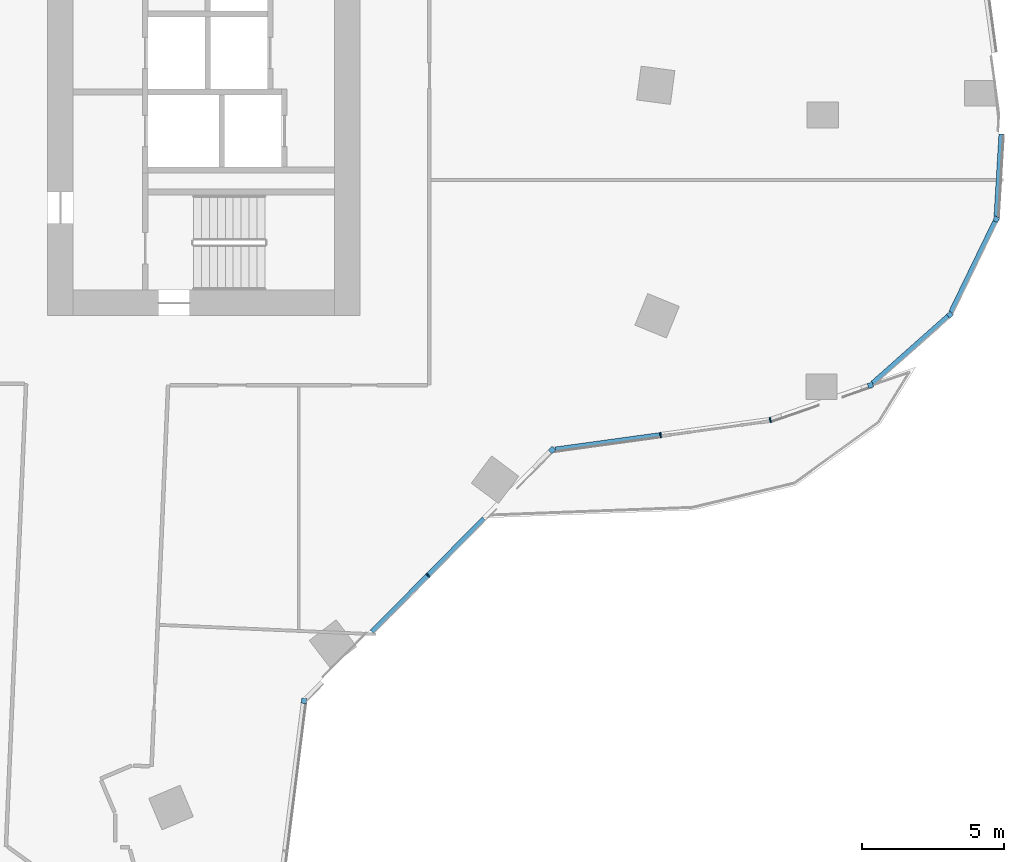
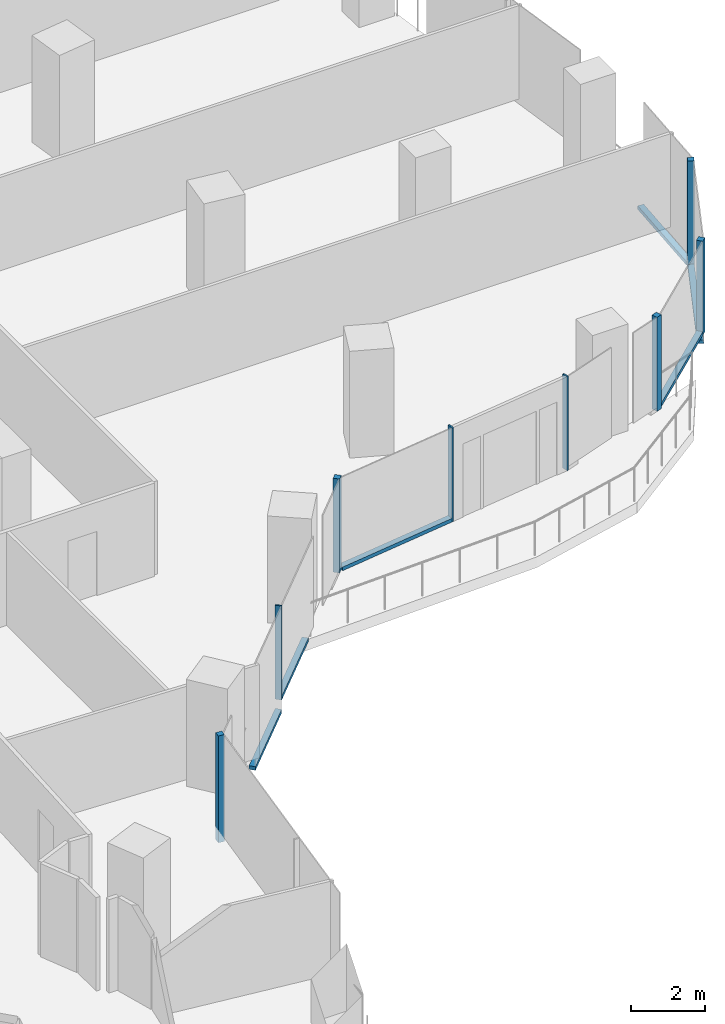
# One storey, part 7 of 29: 14 members, 7 elements without a shape of their own.
"""IFC4 building model written with IfcOpenShell, lengths in metres."""

from ifc_helpers import new_model, si_unit, direction, frame, origin, origin_2d, place, context, subcontext, project, spatial, rectangle, extrude, material, material_profile, profile_set, type_object, element, aggregate, save


model = new_model("IFC4")

# Units and contexts
model_context = context("Model", 3, precision=1e-05, world=origin(), true_north=direction((0.0, 1.0)))
body_context = subcontext(model_context, "Body", "Model", "MODEL_VIEW")
ifc_project = project(units=[si_unit("LENGTHUNIT", "METRE"), si_unit("AREAUNIT", "SQUARE_METRE"), si_unit("VOLUMEUNIT", "CUBIC_METRE"), si_unit("PLANEANGLEUNIT", "RADIAN"), si_unit("MASSUNIT", "GRAM", prefix="KILO")], contexts=[model_context])

# Site, building, storey
site_placement = place(None, origin())
site = spatial("IfcSite", under=ifc_project, at=site_placement, CompositionType="ELEMENT")
building_placement = place(site_placement, origin())
building = spatial("IfcBuilding", under=site, at=building_placement, Name="Orlundy Tower", CompositionType="ELEMENT")
storey_placement = place(building_placement, frame((0.0, 0.0, 188.60009765625)))
storey = spatial("IfcBuildingStorey", under=building, at=storey_placement, Name="L49", CompositionType="ELEMENT", Elevation=188.60009765625)

# Curtain wall, member
ifc_material_1 = material(Name="Aluminium bronze anodised", Category="aluminium")
curtain_wall_type = type_object("IfcCurtainWallType", Name="CW1 wall", PredefinedType="NOTDEFINED", material=ifc_material_1)
curtain_wall_1_placement = place(storey_placement, origin())
curtain_wall_1 = element("IfcCurtainWall", 1, at=curtain_wall_1_placement, inside=storey, type_object=curtain_wall_type, Name="CW1 run 013", PredefinedType="NOTDEFINED")
ifc_material_2 = material(Name="Aluminium bronze anodised", Category="aluminium")
ifc_material_profile_1 = material_profile(ifc_material_2, rectangle(XDim=0.179931640625, YDim=0.179931640625, at=origin_2d()), Name="CW1 corner post 180x180")
ifc_profile_set_1 = profile_set([ifc_material_profile_1], Name="Aluminium bronze anodised")
member_type_1 = type_object("IfcMemberType", Name="CW1 corner post 180x180", PredefinedType="MULLION", material=ifc_profile_set_1)
member_1_placement = place(storey_placement, frame((41.420654296875, -8.605224609375, -0.420166015625), z_axis=(0.0, 0.0, 1.0), x_axis=(0.899441505342, -0.437041163358, 0.0)))
member_1 = element("IfcMember", 2, at=member_1_placement, type_object=member_type_1, Name="CW1 mullion 37", PredefinedType="MULLION", context=body_context, shape_type="SweptSolid", body=[
    extrude(rectangle(XDim=0.179931640625, YDim=0.179931640625, at=origin_2d()), origin(), (0.0, 0.0, 1.0), 3.5),
])

curtain_wall_2_placement = place(storey_placement, origin())
curtain_wall_2 = element("IfcCurtainWall", 3, at=curtain_wall_2_placement, inside=storey, type_object=curtain_wall_type, Name="CW1 run 014", PredefinedType="NOTDEFINED")
member_2_placement = place(storey_placement, frame((39.78515625, -11.971435546875, 0.0), z_axis=(0.0, 0.0, 1.0), x_axis=(0.663760711342, -0.747944996694, 0.0)))
member_2 = element("IfcMember", 4, at=member_2_placement, type_object=member_type_1, Name="CW1 mullion 38", PredefinedType="MULLION", context=body_context, shape_type="SweptSolid", body=[
    extrude(rectangle(XDim=0.179931640625, YDim=0.179931640625, at=origin_2d()), origin(), (0.0, 0.0, 1.0), 3.079833984375),
])

curtain_wall_3_placement = place(storey_placement, origin())
curtain_wall_3 = element("IfcCurtainWall", 5, at=curtain_wall_3_placement, inside=storey, type_object=curtain_wall_type, Name="CW1 run 015", PredefinedType="NOTDEFINED")
member_3_placement = place(storey_placement, frame((36.986328125, -14.455078125, 0.0), z_axis=(0.0, 0.0, 1.0), x_axis=(0.32697157273, -0.945034174317, 0.0)))
member_3 = element("IfcMember", 6, at=member_3_placement, type_object=member_type_1, Name="CW1 mullion 39", PredefinedType="MULLION", context=body_context, shape_type="SweptSolid", body=[
    extrude(rectangle(XDim=0.179931640625, YDim=0.179931640625, at=origin_2d()), origin(), (0.0, 0.0, 1.0), 3.079833984375),
])
aggregate(curtain_wall_3, [member_3])

curtain_wall_4_placement = place(storey_placement, origin())
curtain_wall_4 = element("IfcCurtainWall", 7, at=curtain_wall_4_placement, inside=storey, type_object=curtain_wall_type, Name="CW1 run 017", PredefinedType="NOTDEFINED")
member_4_placement = place(storey_placement, frame((25.767578125, -16.73388671875, 0.0), z_axis=(0.0, 0.0, 1.0), x_axis=(0.711219038994, -0.702970467781, 0.0)))
member_4 = element("IfcMember", 8, at=member_4_placement, type_object=member_type_1, Name="CW1 mullion 42", PredefinedType="MULLION", context=body_context, shape_type="SweptSolid", body=[
    extrude(rectangle(XDim=0.179931640625, YDim=0.179931640625, at=origin_2d()), origin(), (0.0, 0.0, 1.0), 3.079833984375),
])

curtain_wall_5_placement = place(storey_placement, origin())
curtain_wall_5 = element("IfcCurtainWall", 9, at=curtain_wall_5_placement, inside=storey, type_object=curtain_wall_type, Name="CW1 run 018", PredefinedType="NOTDEFINED")
member_5_placement = place(storey_placement, frame((17.032470703125, -25.571533203125, -0.420166015625), z_axis=(0.0, 0.0, 1.0), x_axis=(0.992189164773, -0.124742379758, 0.0)))
member_5 = element("IfcMember", 10, at=member_5_placement, type_object=member_type_1, Name="CW1 mullion 44", PredefinedType="MULLION", context=body_context, shape_type="SweptSolid", body=[
    extrude(rectangle(XDim=0.179931640625, YDim=0.179931640625, at=origin_2d()), origin(), (0.0, 0.0, 1.0), 3.5),
])
aggregate(curtain_wall_5, [member_5])

# Curtain wall, members
curtain_wall_6_placement = place(storey_placement, origin())
curtain_wall_6 = element("IfcCurtainWall", 11, at=curtain_wall_6_placement, inside=storey, type_object=curtain_wall_type, Name="CW1 run 016", PredefinedType="NOTDEFINED")
ifc_material_3 = material(Name="Aluminium bronze anodised", Category="aluminium")
ifc_material_profile_2 = material_profile(ifc_material_3, rectangle(XDim=0.179931640625, YDim=0.050048828125, at=origin_2d()), Name="CW1 mullion 50x180")
ifc_profile_set_2 = profile_set([ifc_material_profile_2], Name="Aluminium bronze anodised")
member_type_2 = type_object("IfcMemberType", Name="CW1 mullion 50x180", PredefinedType="MULLION", material=ifc_profile_set_2)
member_6_placement = place(storey_placement, frame((33.4580078125, -15.676025390625, 0.0), z_axis=(0.0, 0.0, 1.0), x_axis=(0.232753873533, -0.972535672536, 0.0)))
member_6 = element("IfcMember", 12, at=member_6_placement, type_object=member_type_2, Name="CW1 mullion 40", PredefinedType="MULLION", context=body_context, shape_type="SweptSolid", body=[
    extrude(rectangle(XDim=0.179931640625, YDim=0.050048828125, at=origin_2d()), origin(), (0.0, 0.0, 1.0), 3.079833984375),
])
member_7_placement = place(storey_placement, frame((29.59326171875, -16.207763671875, 0.0), z_axis=(0.0, 0.0, 1.0), x_axis=(0.13629398476, -0.990668435814, 0.0)))
member_7 = element("IfcMember", 13, at=member_7_placement, type_object=member_type_2, Name="CW1 mullion 41", PredefinedType="MULLION", context=body_context, shape_type="SweptSolid", body=[
    extrude(rectangle(XDim=0.179931640625, YDim=0.050048828125, at=origin_2d()), origin(), (0.0, 0.0, 1.0), 3.079833984375),
])

# Member
member_8_placement = place(storey_placement, frame((21.39990234375, -21.15283203125, 0.0), z_axis=(0.0, 0.0, 1.0), x_axis=(0.711219038994, -0.702970467781, 0.0)))
member_8 = element("IfcMember", 14, at=member_8_placement, type_object=member_type_2, Name="CW1 mullion 43", PredefinedType="MULLION", context=body_context, shape_type="SweptSolid", body=[
    extrude(rectangle(XDim=0.179931640625, YDim=0.050048828125, at=origin_2d()), origin(), (0.0, 0.0, 1.0), 3.079833984375),
])

# Curtain wall, member
curtain_wall_7_placement = place(storey_placement, origin())
curtain_wall_7 = element("IfcCurtainWall", 15, at=curtain_wall_7_placement, inside=storey, type_object=curtain_wall_type, Name="CW1 run 012", PredefinedType="NOTDEFINED")
ifc_material_4 = material(Name="Aluminium bronze anodised", Category="aluminium")
ifc_material_profile_3 = material_profile(ifc_material_4, rectangle(XDim=0.179931640625, YDim=0.1201171875, at=origin_2d()), Name="CW1 transom 180x120")
ifc_profile_set_3 = profile_set([ifc_material_profile_3], Name="Aluminium bronze anodised")
member_type_3 = type_object("IfcMemberType", Name="CW1 transom 180x120", PredefinedType="USERDEFINED", material=ifc_profile_set_3)
member_9_placement = place(storey_placement, frame((41.599853515625, -5.607666015625, -0.360107421875), z_axis=(-0.059657862568, -0.998218883529, 0.0), x_axis=(0.998218883529, -0.059657862568, 0.0)))
member_9 = element("IfcMember", 16, at=member_9_placement, type_object=member_type_3, Name="CW1 transom", ObjectType="TRANSOM", PredefinedType="USERDEFINED", context=body_context, shape_type="SweptSolid", body=[
    extrude(rectangle(XDim=0.179931640625, YDim=0.1201171875, at=origin_2d()), origin(), (0.0, 0.0, 1.0), 2.905517578125),
])
aggregate(curtain_wall_7, [member_9])

# Member
member_10_placement = place(storey_placement, frame((41.38134765625, -8.686279296875, -0.360107421875), z_axis=(-0.437048428858, -0.899437974978, 0.0), x_axis=(0.899437974978, -0.437048428858, 0.0)))
member_10 = element("IfcMember", 17, at=member_10_placement, type_object=member_type_3, Name="CW1 transom", ObjectType="TRANSOM", PredefinedType="USERDEFINED", context=body_context, shape_type="SweptSolid", body=[
    extrude(rectangle(XDim=0.179931640625, YDim=0.1201171875, at=origin_2d()), origin(), (0.0, 0.0, 1.0), 3.554931640625),
])

aggregate(curtain_wall_1, [member_1, member_10])

member_11_placement = place(storey_placement, frame((39.7177734375, -12.03125, 0.059814453125), z_axis=(-0.747924477446, -0.663783832311, 0.0), x_axis=(0.663783832311, -0.747924477446, 0.0)))
member_11 = element("IfcMember", 18, at=member_11_placement, type_object=member_type_3, Name="CW1 transom", ObjectType="TRANSOM", PredefinedType="USERDEFINED", context=body_context, shape_type="SweptSolid", body=[
    extrude(rectangle(XDim=0.179931640625, YDim=0.1201171875, at=origin_2d()), origin(), (0.0, 0.0, 1.0), 3.554443359375),
])

aggregate(curtain_wall_2, [member_2, member_11])

member_12_placement = place(storey_placement, frame((29.568603515625, -16.211181640625, 0.059814453125), z_axis=(-0.990674304503, -0.13625132072, 0.0), x_axis=(0.13625132072, -0.990674304503, 0.0)))
member_12 = element("IfcMember", 19, at=member_12_placement, type_object=member_type_3, Name="CW1 transom", ObjectType="TRANSOM", PredefinedType="USERDEFINED", context=body_context, shape_type="SweptSolid", body=[
    extrude(rectangle(XDim=0.179931640625, YDim=0.1201171875, at=origin_2d()), origin(), (0.0, 0.0, 1.0), 3.723388671875),
])

aggregate(curtain_wall_6, [member_6, member_7, member_12])

member_13_placement = place(storey_placement, frame((23.375244140625, -19.154296875, 0.059814453125), z_axis=(-0.702974587016, -0.71121496751, 0.0), x_axis=(0.71121496751, -0.702974587016, 0.0)))
member_13 = element("IfcMember", 20, at=member_13_placement, type_object=member_type_3, Name="CW1 transom", ObjectType="TRANSOM", PredefinedType="USERDEFINED", context=body_context, shape_type="SweptSolid", body=[
    extrude(rectangle(XDim=0.179931640625, YDim=0.1201171875, at=origin_2d()), origin(), (0.0, 0.0, 1.0), 2.784912109375),
])

member_14_placement = place(storey_placement, frame((21.38232421875, -21.170654296875, -0.360107421875), z_axis=(-0.702964802298, -0.711224638725, 0.0), x_axis=(0.711224638725, -0.702964802298, 0.0)))
member_14 = element("IfcMember", 21, at=member_14_placement, type_object=member_type_3, Name="CW1 transom", ObjectType="TRANSOM", PredefinedType="USERDEFINED", context=body_context, shape_type="SweptSolid", body=[
    extrude(rectangle(XDim=0.179931640625, YDim=0.1201171875, at=origin_2d()), origin(), (0.0, 0.0, 1.0), 2.7783203125),
])

aggregate(curtain_wall_4, [member_4, member_8, member_13, member_14])

save(model, "model.ifc")
